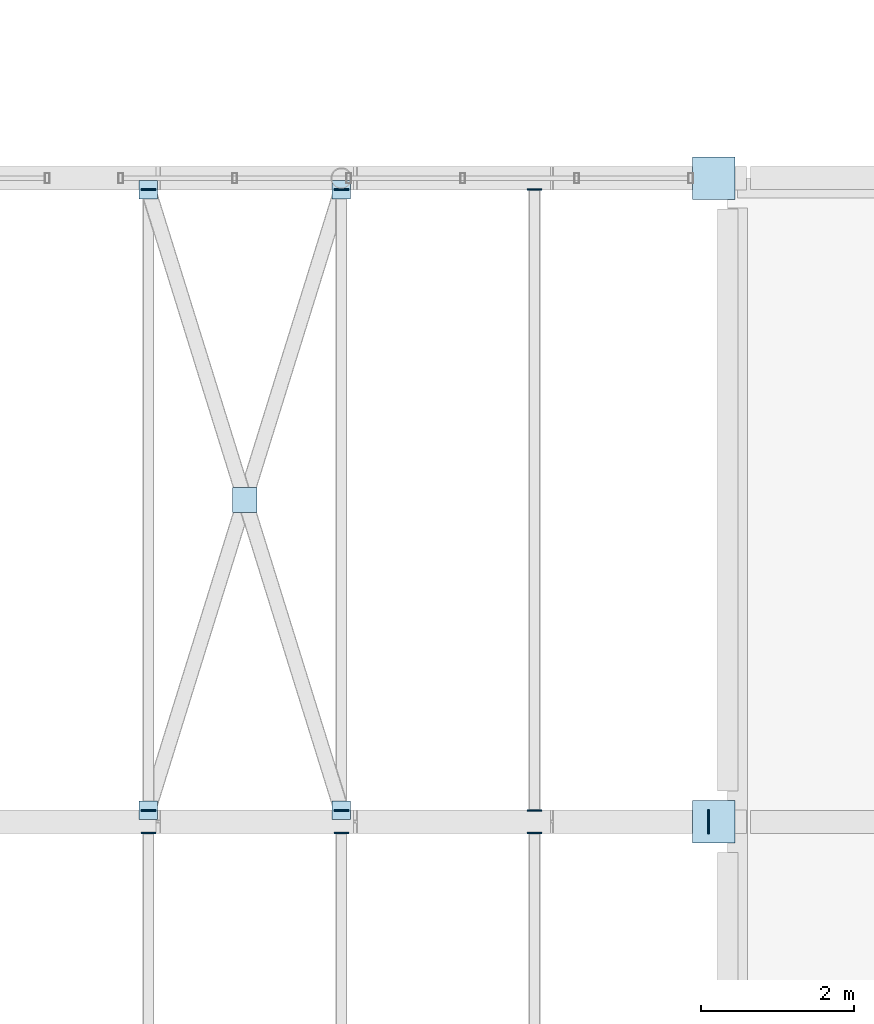
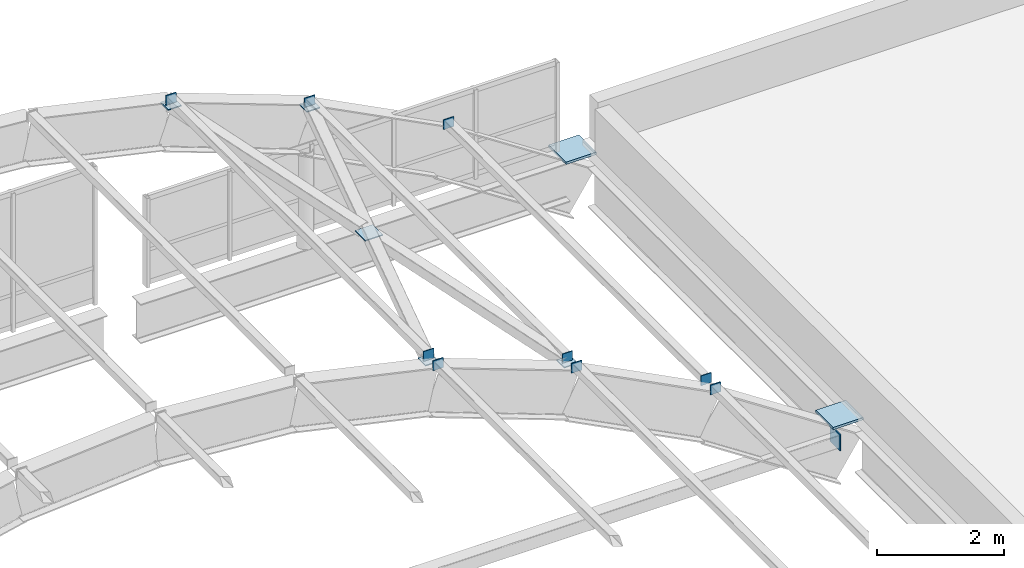
# One storey, part 109 of 130: 17 plates.
"""IFC4 building model written with IfcOpenShell, lengths in metres."""

from ifc_helpers import new_model, si_unit, direction, frame, origin, origin_2d, place, context, subcontext, project, spatial, rectangle, extrude, material, layer, layer_set, type_object, element, save


model = new_model("IFC4")

# Units and contexts
model_context = context("Model", 3, precision=1e-05, world=origin(), true_north=direction((0.0, 1.0)))
body_context = subcontext(model_context, "Body", "Model", "MODEL_VIEW")
ifc_project = project(units=[si_unit("LENGTHUNIT", "METRE"), si_unit("AREAUNIT", "SQUARE_METRE"), si_unit("VOLUMEUNIT", "CUBIC_METRE"), si_unit("PLANEANGLEUNIT", "RADIAN"), si_unit("MASSUNIT", "GRAM", prefix="KILO")], contexts=[model_context])

# Site, building, storey
site_placement = place(None, origin())
site = spatial("IfcSite", under=ifc_project, at=site_placement, CompositionType="ELEMENT")
building_placement = place(site_placement, origin())
building = spatial("IfcBuilding", under=site, at=building_placement, Name="Vireocrest Preparatory School", CompositionType="ELEMENT")
storey_placement = place(building_placement, frame((0.0, 0.0, 9.0)))
storey = spatial("IfcBuildingStorey", under=building, at=storey_placement, Name="L02", CompositionType="ELEMENT", Elevation=9.0)

# Plates
ifc_material = material(Name="Structural steel ASTM A572 Grade 50", Category="steel")
ifc_layer_1 = layer(ifc_material, 0.0458984375)
ifc_layer_set_1 = layer_set([ifc_layer_1], Name="Structural steel ASTM A572 Grade 50")
plate_type_1 = type_object("IfcPlateType", Name="Barrel-Vault Springing Gusset Shoe Plate 46", PredefinedType="SHEET", material=ifc_layer_set_1)
for number, where, z_axis, x_axis, name in (
    (1, (25.02001953125, 43.800048828125, -0.123046875), (0.0, 0.0, 1.0), (1.0, 0.0, 0.0), "Node AS1 Vault Springing Shoe VAULT_SPORTS-5E"),
    (2, (25.02001953125, 52.199951171875, -0.123046875), (0.0, 0.0, 1.0), (1.0, 0.0, 0.0), "Node AS1 Vault Springing Shoe VAULT_SPORTS-6E"),
):
    element("IfcPlate", number, at=place(storey_placement, frame(where, z_axis=z_axis, x_axis=x_axis)), inside=storey, type_object=plate_type_1, Name=name, PredefinedType="SHEET", context=body_context, shape_type="SweptSolid", body=[
        extrude(rectangle(XDim=0.550048828125, YDim=0.550048828125, at=origin_2d()), origin(), (0.0, 0.0, 1.0), 0.0458984375),
    ])
ifc_layer_2 = layer(ifc_material, 0.02001953125)
ifc_layer_set_2 = layer_set([ifc_layer_2], Name="Structural steel ASTM A572 Grade 50")
plate_type_2 = type_object("IfcPlateType", Name="Hollow Section Steel End Cap Plate 20", PredefinedType="SHEET", material=ifc_layer_set_2)
plate_1_placement = place(storey_placement, frame((24.949951171875, 43.800048828125, -0.671142578125), z_axis=(0.0, 0.0, 1.0), x_axis=(1.0, 0.0, 0.0)))
element("IfcPlate", 3, at=plate_1_placement, inside=storey, type_object=plate_type_2, Name="End Cap Plate CP1 VAULT_SPORTS Tie 5E", PredefinedType="SHEET", context=body_context, shape_type="SweptSolid", body=[
    extrude(rectangle(XDim=0.02001953125, YDim=0.31396484375, at=origin_2d()), origin(), (0.0, 0.0, 1.0), 0.31396484375),
])
for number, where, z_axis, x_axis, name in (
    (4, (17.639892578125, 43.952392578125, 3.439697265625), (0.0, 0.0, 1.0), (1.0, 0.0, 0.0), "Brace Cap Plate CP1 VAULT_SPORTS-5-8A"),
    (5, (20.159912109375, 52.047607421875, 2.519775390625), (0.0, 0.0, 1.0), (1.0, 0.0, 0.0), "Brace Cap Plate CP1 VAULT_SPORTS-5-8B"),
):
    element("IfcPlate", number, at=place(storey_placement, frame(where, z_axis=z_axis, x_axis=x_axis)), inside=storey, type_object=plate_type_2, Name=name, PredefinedType="SHEET", context=body_context, shape_type="SweptSolid", body=[
        extrude(rectangle(XDim=0.239990234375, YDim=0.239990234375, at=origin_2d()), origin(), (0.0, 0.0, 1.0), 0.02001953125),
    ])
plate_2_placement = place(storey_placement, frame((18.89990234375, 48.0, 2.979736328125), z_axis=(0.0, 0.0, 1.0), x_axis=(1.0, 0.0, 0.0)))
element("IfcPlate", 6, at=plate_2_placement, inside=storey, type_object=plate_type_2, Name="X-Brace Crossing Gusset CP1 VAULT_SPORTS-5-8", PredefinedType="SHEET", context=body_context, shape_type="SweptSolid", body=[
    extrude(rectangle(XDim=0.320068359375, YDim=0.320068359375, at=origin_2d()), origin(), (0.0, 0.0, 1.0), 0.02001953125),
])
for number, where, z_axis, x_axis, name in (
    (7, (17.639892578125, 52.047607421875, 3.439697265625), (0.0, 0.0, 1.0), (1.0, 0.0, 0.0), "Brace Cap Plate CP1 VAULT_SPORTS-5-8C"),
    (8, (20.159912109375, 43.952392578125, 2.519775390625), (0.0, 0.0, 1.0), (1.0, 0.0, 0.0), "Brace Cap Plate CP1 VAULT_SPORTS-5-8D"),
):
    element("IfcPlate", number, at=place(storey_placement, frame(where, z_axis=z_axis, x_axis=x_axis)), inside=storey, type_object=plate_type_2, Name=name, PredefinedType="SHEET", context=body_context, shape_type="SweptSolid", body=[
        extrude(rectangle(XDim=0.239990234375, YDim=0.239990234375, at=origin_2d()), origin(), (0.0, 0.0, 1.0), 0.02001953125),
    ])
ifc_layer_3 = layer(ifc_material, 0.01611328125)
ifc_layer_set_3 = layer_set([ifc_layer_3], Name="Structural steel ASTM A572 Grade 50")
plate_type_3 = type_object("IfcPlateType", Name="Sports Vault Purlin Steel End Cap Plate 16", PredefinedType="SHEET", material=ifc_layer_set_3)
for number, where, z_axis, x_axis, name in (
    (9, (17.639892578125, 43.652587890625, 3.4580078125), (0.0, 0.0, 1.0), (1.0, 0.0, 0.0), "Purlin End Cap CP2 VAULT_SPORTS B4-N-8"),
    (10, (20.159912109375, 43.652587890625, 2.52685546875), (0.0, 0.0, 1.0), (1.0, 0.0, 0.0), "Purlin End Cap CP2 VAULT_SPORTS B4-N-9"),
    (11, (22.679931640625, 43.652587890625, 1.227783203125), (0.0, 0.0, 1.0), (1.0, 0.0, 0.0), "Purlin End Cap CP2 VAULT_SPORTS B4-N-10"),
    (12, (17.639892578125, 43.947509765625, 3.4580078125), (0.0, 0.0, 1.0), (1.0, 0.0, 0.0), "Purlin End Cap CP2 VAULT_SPORTS B5-S-8"),
    (13, (17.639892578125, 52.052490234375, 3.4580078125), (0.0, 0.0, 1.0), (1.0, 0.0, 0.0), "Purlin End Cap CP2 VAULT_SPORTS B5-N-8"),
    (14, (20.159912109375, 43.947509765625, 2.52685546875), (0.0, 0.0, 1.0), (1.0, 0.0, 0.0), "Purlin End Cap CP2 VAULT_SPORTS B5-S-9"),
    (15, (20.159912109375, 52.052490234375, 2.52685546875), (0.0, 0.0, 1.0), (1.0, 0.0, 0.0), "Purlin End Cap CP2 VAULT_SPORTS B5-N-9"),
    (16, (22.679931640625, 43.947509765625, 1.227783203125), (0.0, 0.0, 1.0), (1.0, 0.0, 0.0), "Purlin End Cap CP2 VAULT_SPORTS B5-S-10"),
    (17, (22.679931640625, 52.052490234375, 1.227783203125), (0.0, 0.0, 1.0), (1.0, 0.0, 0.0), "Purlin End Cap CP2 VAULT_SPORTS B5-N-10"),
):
    element("IfcPlate", number, at=place(storey_placement, frame(where, z_axis=z_axis, x_axis=x_axis)), inside=storey, type_object=plate_type_3, Name=name, PredefinedType="SHEET", context=body_context, shape_type="SweptSolid", body=[
        extrude(rectangle(XDim=0.18798828125, YDim=0.01611328125, at=origin_2d()), origin(), (0.0, 0.0, 1.0), 0.18798828125),
    ])

save(model, "model.ifc")
